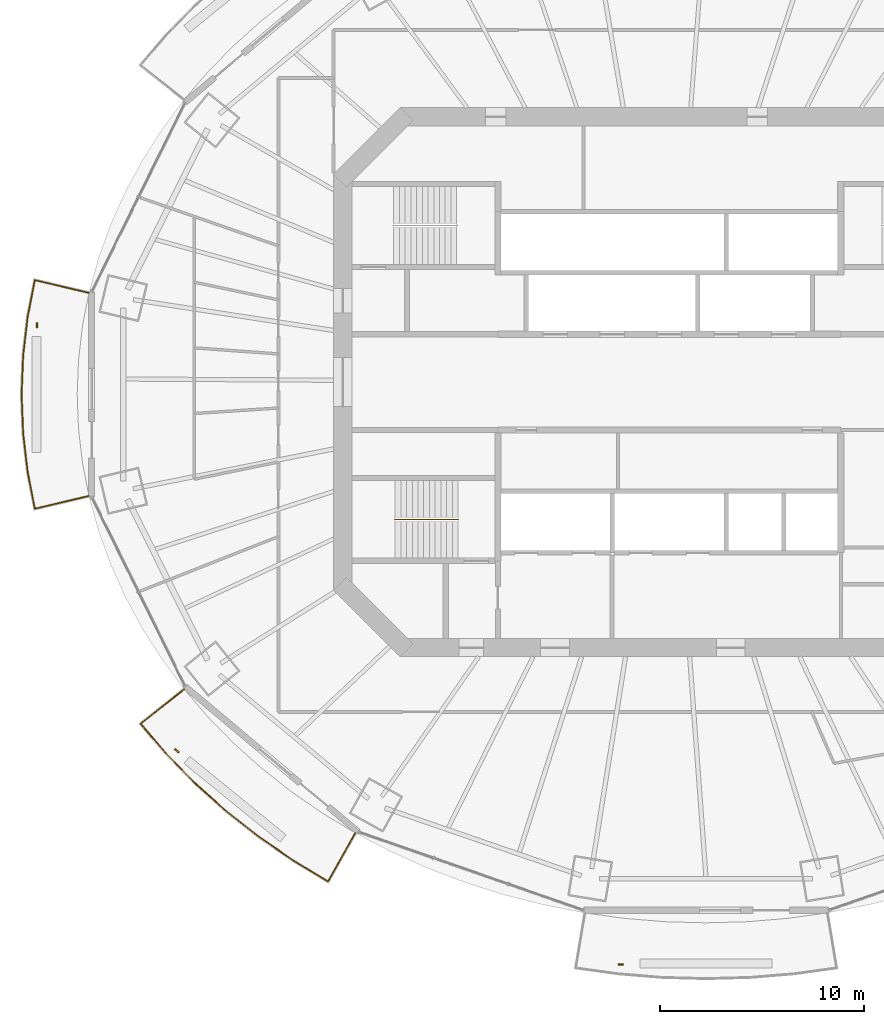
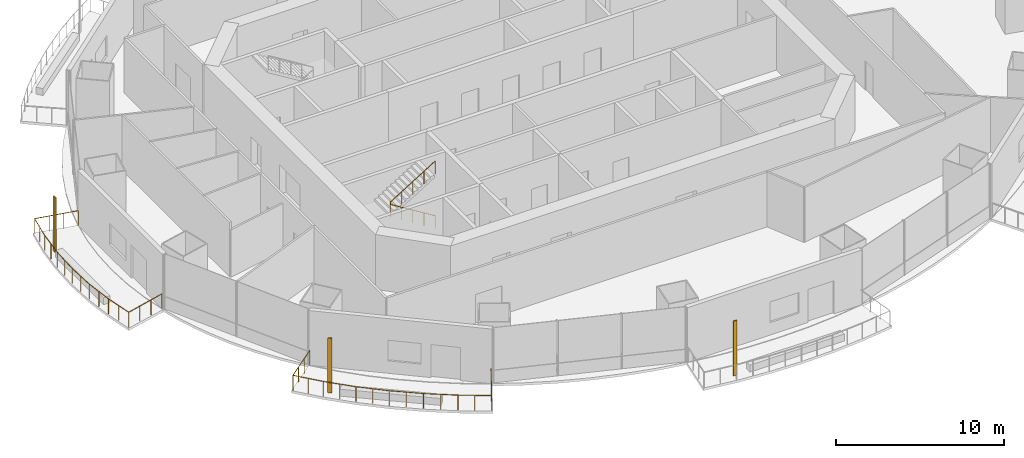
# One storey, part 14 of 19: 3 railings, 3 shading devices.
"""IFC4 building model written with IfcOpenShell, lengths in metres."""

import ifcopenshell
import ifcopenshell.guid

model = None  # the IFC model being written
_history = None  # IfcOwnerHistory: only IFC2X3 demands one
_inside = {}  # id of a spatial element -> (the spatial element, [elements in it])
_under = {}  # id of a project, library or spatial element -> (it, [spatial elements below it])
_declared = {}  # id of a project -> (the project, [libraries it declares])
_typed = {}  # id of a type object -> (the type object, [elements of that type])
_made_of = {}  # id of a material, layer set ... -> (it, [elements and type objects made of it])


def new_model(schema):
    """Start an empty IFC model of exactly this schema.

    Asked for "IFC4X3", IfcOpenShell would pick the latest addendum, in which some entities
    have other attributes; the version numbers below select the first issue.
    IFC2X3 requires an IfcOwnerHistory on every rooted entity: one is made here for all.
    """
    global model, _history
    if schema == "IFC4X3":
        model = ifcopenshell.file(schema_version=(4, 3, 0, 0))
    else:
        model = ifcopenshell.file(schema=schema)
    _inside.clear()
    _under.clear()
    _declared.clear()
    _typed.clear()
    _made_of.clear()
    _history = None
    if model.schema == "IFC2X3":
        org = make("IfcOrganization", Name="unknown")
        user = make(
            "IfcPersonAndOrganization",
            ThePerson=make("IfcPerson", FamilyName="unknown"),
            TheOrganization=org,
        )
        app = make(
            "IfcApplication",
            ApplicationDeveloper=org,
            Version="unknown",
            ApplicationFullName="unknown",
            ApplicationIdentifier="unknown",
        )
        _history = make(
            "IfcOwnerHistory",
            OwningUser=user,
            OwningApplication=app,
            ChangeAction="ADDED",
            CreationDate=0,
        )
    return model


def make(cls, **values):
    """One entity of the class cls with the attributes given. An attribute that is None is left unset."""
    return model.create_entity(
        cls, **{name: value for name, value in values.items() if value is not None}
    )


def rooted(cls, **values):
    """An entity with a GlobalId (a new one), such as an element, a storey or a relation."""
    return make(cls, GlobalId=ifcopenshell.guid.new(), OwnerHistory=_history, **values)


def si_unit(unit_type, name, prefix=None):
    """IfcSIUnit, for example si_unit("LENGTHUNIT", "METRE", prefix="MILLI")."""
    return make("IfcSIUnit", UnitType=unit_type, Prefix=prefix, Name=name)


def assignment(units):
    """IfcUnitAssignment: the units of a project."""
    return None if units is None else make("IfcUnitAssignment", Units=units)


def point(xyz):
    """IfcCartesianPoint."""
    return None if xyz is None else make("IfcCartesianPoint", Coordinates=xyz)


def direction(xyz):
    """IfcDirection."""
    return None if xyz is None else make("IfcDirection", DirectionRatios=xyz)


def frame(location, z_axis=None, x_axis=None):
    """IfcAxis2Placement3D, a coordinate frame: its origin and axes. An axis left out is left unset."""
    return make(
        "IfcAxis2Placement3D",
        Location=point(location),
        Axis=direction(z_axis),
        RefDirection=direction(x_axis),
    )


def frame_2d(location, x_axis=None):
    """IfcAxis2Placement2D, a coordinate frame in the plane: its origin and x axis."""
    return make(
        "IfcAxis2Placement2D", Location=point(location), RefDirection=direction(x_axis)
    )


def origin():
    """The frame at (0, 0, 0) with its axes left unset."""
    return frame((0.0, 0.0, 0.0))


def origin_2d():
    """The frame at (0, 0) in the plane with its x axis left unset."""
    return frame_2d((0.0, 0.0))


def place(relative_to, where):
    """IfcLocalPlacement: puts the frame where relative to a parent placement (None: the world)."""
    return make(
        "IfcLocalPlacement", PlacementRelTo=relative_to, RelativePlacement=where
    )


def context(
    kind, dimensions, precision=None, world=None, true_north=None, identifier=None
):
    """IfcGeometricRepresentationContext, for example the 3D "Model" context."""
    return make(
        "IfcGeometricRepresentationContext",
        ContextIdentifier=identifier,
        ContextType=kind,
        CoordinateSpaceDimension=dimensions,
        Precision=precision,
        WorldCoordinateSystem=world,
        TrueNorth=true_north,
    )


def subcontext(parent, identifier, kind, view, scale=None):
    """IfcGeometricRepresentationSubContext, for example "Body" below "Model"."""
    return make(
        "IfcGeometricRepresentationSubContext",
        ContextIdentifier=identifier,
        ContextType=kind,
        ParentContext=parent,
        TargetScale=scale,
        TargetView=view,
    )


def project(units=None, contexts=None):
    """IfcProject with its units and contexts."""
    return rooted(
        "IfcProject",
        Name="project",
        RepresentationContexts=contexts,
        UnitsInContext=assignment(units),
    )


def spatial(cls, under=None, at=None, **own):
    """A site, building, storey or space (cls), placed at a placement, below another one or the project."""
    s = rooted(cls, ObjectPlacement=at, **own)
    if under is not None:
        _under.setdefault(under.id(), (under, []))[1].append(s)
    return s


def profile(cls, at=None, kind="AREA", **sizes):
    """A parametric profile (cls). Its sizes go by their IFC names, for example OverallWidth=200.0."""
    return make(cls, ProfileType=kind, Position=at, **sizes)


def rectangle(**sizes):
    """IfcRectangleProfileDef."""
    return profile("IfcRectangleProfileDef", **sizes)


def circle(**sizes):
    """IfcCircleProfileDef."""
    return profile("IfcCircleProfileDef", **sizes)


def extrude(swept, where, along, depth):
    """IfcExtrudedAreaSolid: the profile swept, set in the frame where, extruded along a direction by depth."""
    return make(
        "IfcExtrudedAreaSolid",
        SweptArea=swept,
        Position=where,
        ExtrudedDirection=direction(along),
        Depth=depth,
    )


def shape(context_of_items, identifier, shape_type, items):
    """IfcShapeRepresentation: the items that make up one representation, for example the "Body"."""
    return make(
        "IfcShapeRepresentation",
        ContextOfItems=context_of_items,
        RepresentationIdentifier=identifier,
        RepresentationType=shape_type,
        Items=items,
    )


def material(Name=None, Category=None):
    """IfcMaterial."""
    return make("IfcMaterial", Name=Name, Category=Category)


def material_profile(
    of_material, cross_section, Name=None, Category=None, Priority=None
):
    """IfcMaterialProfile: a cross section and its material."""
    return make(
        "IfcMaterialProfile",
        Name=Name,
        Material=of_material,
        Profile=cross_section,
        Priority=Priority,
        Category=Category,
    )


def profile_set(profiles, Name=None, composite=None):
    """IfcMaterialProfileSet."""
    return make(
        "IfcMaterialProfileSet",
        Name=Name,
        MaterialProfiles=profiles,
        CompositeProfile=composite,
    )


def made_of(thing, what):
    """Note that an element or type object is made of a material, layer set ...; save() writes the relation."""
    if what is not None:
        _made_of.setdefault(what.id(), (what, []))[1].append(thing)
    return thing


def type_object(cls, material=None, **own):
    """A type object (cls), such as IfcWallType, which elements share."""
    return made_of(rooted(cls, **own), material)


def element(
    cls,
    number,
    at=None,
    inside=None,
    cuts=None,
    type_object=None,
    material=None,
    context=None,
    identifier="Body",
    shape_type=None,
    held_by="IfcProductDefinitionShape",
    body=None,
    shapes=None,
    **own,
):
    """One element of the class cls, such as IfcWall. Its Tag is "e" and its number.

    at: its placement. inside: the storey or other place that contains it. cuts: it is an
    opening in that element (IfcRelVoidsElement). A single representation is given by context,
    identifier, shape_type and body (its items); several are given by shapes. held_by: the class
    of the entity that holds the representations. save() writes the other relations.
    """
    e = rooted(cls, Tag="e%d" % number, ObjectPlacement=at, **own)
    if body is not None:
        shapes = [shape(context, identifier, shape_type, body)]
    if shapes is not None:
        e.Representation = make(held_by, Representations=shapes)
    if inside is not None:
        _inside.setdefault(inside.id(), (inside, []))[1].append(e)
    if cuts is not None:
        rooted(
            "IfcRelVoidsElement", RelatingBuildingElement=cuts, RelatedOpeningElement=e
        )
    if type_object is not None:
        _typed.setdefault(type_object.id(), (type_object, []))[1].append(e)
    return made_of(e, material)


def aggregate(whole, parts):
    """IfcRelAggregates: a whole, such as a stair, and the parts it consists of."""
    return rooted("IfcRelAggregates", RelatingObject=whole, RelatedObjects=parts)


def save(model, path):
    """Write the relations noted so far, then the file.

    IfcRelAggregates (storeys below a building ...), IfcRelContainedInSpatialStructure (elements
    in a storey), IfcRelDefinesByType, IfcRelAssociatesMaterial and IfcRelDeclares: one each for
    every whole, place, type object, material and project.
    """
    for whole, parts in _under.values():
        aggregate(whole, parts)
    for where, things in _inside.values():
        rooted(
            "IfcRelContainedInSpatialStructure",
            RelatedElements=things,
            RelatingStructure=where,
        )
    for kind, things in _typed.values():
        rooted("IfcRelDefinesByType", RelatedObjects=things, RelatingType=kind)
    for what, things in _made_of.values():
        rooted("IfcRelAssociatesMaterial", RelatedObjects=things, RelatingMaterial=what)
    for by, libraries in _declared.values():
        rooted("IfcRelDeclares", RelatingContext=by, RelatedDefinitions=libraries)
    model.write(path)


model = new_model("IFC4")

# Units and contexts
model_context = context("Model", 3, precision=1e-05, world=origin(), true_north=direction((0.0, 1.0)))
body_context = subcontext(model_context, "Body", "Model", "MODEL_VIEW")
ifc_project = project(units=[si_unit("LENGTHUNIT", "METRE"), si_unit("AREAUNIT", "SQUARE_METRE"), si_unit("VOLUMEUNIT", "CUBIC_METRE"), si_unit("PLANEANGLEUNIT", "RADIAN"), si_unit("MASSUNIT", "GRAM", prefix="KILO")], contexts=[model_context])

# Site, building, storey
site_placement = place(None, origin())
site = spatial("IfcSite", under=ifc_project, at=site_placement, CompositionType="ELEMENT")
building_placement = place(site_placement, origin())
building = spatial("IfcBuilding", under=site, at=building_placement, Name="Marenthal Gate Tower", CompositionType="ELEMENT")
storey_placement = place(building_placement, frame((0.0, 0.0, 223.300048828125)))
storey = spatial("IfcBuildingStorey", under=building, at=storey_placement, Name="L49", CompositionType="ELEMENT", Elevation=223.300048828125)

# Railings
ifc_material_1 = material(Name="Stainless steel", Category="steel")
railing_type_1 = type_object("IfcRailingType", Name="Balcony guard 1100", PredefinedType="GUARDRAIL", material=ifc_material_1)
railing_1_placement = place(storey_placement, frame((-28.434326171875, -5.572021484375, 0.0)))
element("IfcRailing", 1, at=railing_1_placement, inside=storey, type_object=railing_type_1, Name="Balcony guard L49 bay 8", PredefinedType="GUARDRAIL", context=body_context, shape_type="SweptSolid", body=[
    extrude(circle(Radius=0.02392578125, at=origin_2d()), frame((0.0, 0.0, 1.076171875), z_axis=(-0.973052153091, -0.230114897669, -0.014718737604), x_axis=(0.230139827907, -0.97315757183, 0.0)), (0.0, 0.0, 1.0), 2.72021484375),
    extrude(circle(Radius=0.02392578125, at=origin_2d()), frame((-2.64697265625, -0.6259765625, 1.0361328125), z_axis=(-0.191194170829, 0.981552234494, 0.0), x_axis=(-0.981552234494, -0.191194170829, 0.0)), (0.0, 0.0, 1.0), 1.832275390625),
    extrude(circle(Radius=0.02392578125, at=origin_2d()), frame((-2.997314453125, 1.172607421875, 1.0361328125), z_axis=(-0.116440337064, 0.99319768823, 0.0), x_axis=(-0.99319768823, -0.116440337064, 0.0)), (0.0, 0.0, 1.0), 1.907958984375),
    extrude(circle(Radius=0.02392578125, at=origin_2d()), frame((-3.219482421875, 3.067626953125, 1.0361328125), z_axis=(-0.038944791616, 0.999241363839, 0.0), x_axis=(-0.999241363839, -0.038944791616, 0.0)), (0.0, 0.0, 1.0), 1.90576171875),
    extrude(circle(Radius=0.02392578125, at=origin_2d()), frame((-3.293701171875, 4.971923828125, 1.0361328125), z_axis=(0.038939806905, 0.999241558102, 0.0), x_axis=(-0.999241558102, 0.038939806905, 0.0)), (0.0, 0.0, 1.0), 1.906005859375),
    extrude(circle(Radius=0.02392578125, at=origin_2d()), frame((-3.219482421875, 6.87646484375, 1.0361328125), z_axis=(0.116440337064, 0.99319768823, 0.0), x_axis=(-0.99319768823, 0.116440337064, 0.0)), (0.0, 0.0, 1.0), 1.907958984375),
    extrude(circle(Radius=0.02392578125, at=origin_2d()), frame((-2.997314453125, 8.771484375, 1.0361328125), z_axis=(0.191194170829, 0.981552234494, 0.0), x_axis=(-0.981552234494, 0.191194170829, 0.0)), (0.0, 0.0, 1.0), 1.832275390625),
    extrude(circle(Radius=0.02392578125, at=origin_2d()), frame((-2.64697265625, 10.570068359375, 1.0361328125), z_axis=(0.973052153091, -0.230114897669, 0.014718737604), x_axis=(0.230139827907, 0.97315757183, 0.0)), (0.0, 0.0, 1.0), 2.72021484375),
    extrude(circle(Radius=0.02099609375, at=origin_2d()), origin(), (0.0, 0.0, 1.0), 1.052001953125),
    extrude(circle(Radius=0.02099609375, at=origin_2d()), frame((-0.88232421875, -0.208740234375, -0.013427734375)), (0.0, 0.0, 1.0), 1.052001953125),
    extrude(circle(Radius=0.02099609375, at=origin_2d()), frame((-1.7646484375, -0.417236328125, -0.026611328125)), (0.0, 0.0, 1.0), 1.052001953125),
    extrude(circle(Radius=0.02099609375, at=origin_2d()), frame((-2.64697265625, -0.6259765625, -0.0400390625)), (0.0, 0.0, 1.0), 1.052001953125),
    extrude(circle(Radius=0.02099609375, at=origin_2d()), frame((-2.822265625, 0.2734375, -0.0400390625)), (0.0, 0.0, 1.0), 1.052001953125),
    extrude(circle(Radius=0.02099609375, at=origin_2d()), frame((-2.997314453125, 1.172607421875, -0.0400390625)), (0.0, 0.0, 1.0), 1.052001953125),
    extrude(circle(Radius=0.02099609375, at=origin_2d()), frame((-3.1083984375, 2.1201171875, -0.0400390625)), (0.0, 0.0, 1.0), 1.052001953125),
    extrude(circle(Radius=0.02099609375, at=origin_2d()), frame((-3.219482421875, 3.067626953125, -0.0400390625)), (0.0, 0.0, 1.0), 1.052001953125),
    extrude(circle(Radius=0.02099609375, at=origin_2d()), frame((-3.256591796875, 4.019775390625, -0.0400390625)), (0.0, 0.0, 1.0), 1.052001953125),
    extrude(circle(Radius=0.02099609375, at=origin_2d()), frame((-3.293701171875, 4.971923828125, -0.0400390625)), (0.0, 0.0, 1.0), 1.052001953125),
    extrude(circle(Radius=0.02099609375, at=origin_2d()), frame((-3.256591796875, 5.92431640625, -0.0400390625)), (0.0, 0.0, 1.0), 1.052001953125),
    extrude(circle(Radius=0.02099609375, at=origin_2d()), frame((-3.219482421875, 6.87646484375, -0.0400390625)), (0.0, 0.0, 1.0), 1.052001953125),
    extrude(circle(Radius=0.02099609375, at=origin_2d()), frame((-3.1083984375, 7.823974609375, -0.0400390625)), (0.0, 0.0, 1.0), 1.052001953125),
    extrude(circle(Radius=0.02099609375, at=origin_2d()), frame((-2.997314453125, 8.771484375, -0.0400390625)), (0.0, 0.0, 1.0), 1.052001953125),
    extrude(circle(Radius=0.02099609375, at=origin_2d()), frame((-2.822265625, 9.6708984375, -0.0400390625)), (0.0, 0.0, 1.0), 1.052001953125),
    extrude(circle(Radius=0.02099609375, at=origin_2d()), frame((-2.64697265625, 10.570068359375, -0.0400390625)), (0.0, 0.0, 1.0), 1.052001953125),
    extrude(circle(Radius=0.02099609375, at=origin_2d()), frame((-1.7646484375, 10.361328125, -0.026611328125)), (0.0, 0.0, 1.0), 1.052001953125),
    extrude(circle(Radius=0.02099609375, at=origin_2d()), frame((-0.88232421875, 10.15283203125, -0.013427734375)), (0.0, 0.0, 1.0), 1.052001953125),
    extrude(circle(Radius=0.02099609375, at=origin_2d()), frame((0.0, 9.944091796875, 0.0)), (0.0, 0.0, 1.0), 1.052001953125),
])
railing_2_placement = place(storey_placement, frame((-15.3857421875, -22.08349609375, 0.0)))
element("IfcRailing", 2, at=railing_2_placement, inside=storey, type_object=railing_type_1, Name="Balcony guard L49 bay 10", PredefinedType="GUARDRAIL", context=body_context, shape_type="SweptSolid", body=[
    extrude(circle(Radius=0.02392578125, at=origin_2d()), frame((0.0, 0.0, 1.076171875), z_axis=(-0.489828869087, -0.871694357905, -0.014718199804), x_axis=(0.871788788819, -0.489881932397, 0.0)), (0.0, 0.0, 1.0), 2.720458984375),
    extrude(circle(Radius=0.02392578125, at=origin_2d()), frame((-1.33251953125, -2.371337890625, 1.0361328125), z_axis=(-0.856002243452, 0.516972106796, 0.0), x_axis=(-0.516972106796, -0.856002243452, 0.0)), (0.0, 0.0, 1.0), 1.9990234375),
    extrude(circle(Radius=0.02392578125, at=origin_2d()), frame((-3.043701171875, -1.337890625, 1.0361328125), z_axis=(-0.823243306464, 0.567688698462, 0.0), x_axis=(-0.567688698462, -0.823243306464, 0.0)), (0.0, 0.0, 1.0), 2.0625),
    extrude(circle(Radius=0.02392578125, at=origin_2d()), frame((-4.74169921875, -0.1669921875, 1.0361328125), z_axis=(-0.785792171054, 0.618490633648, 0.0), x_axis=(-0.618490633648, -0.785792171054, 0.0)), (0.0, 0.0, 1.0), 2.0458984375),
    extrude(circle(Radius=0.02392578125, at=origin_2d()), frame((-6.349365234375, 1.098388671875, 1.0361328125), z_axis=(-0.744394107791, 0.667740527665, 0.0), x_axis=(-0.667740527665, -0.744394107791, 0.0)), (0.0, 0.0, 1.0), 2.02880859375),
    extrude(circle(Radius=0.02392578125, at=origin_2d()), frame((-7.859619140625, 2.453125, 1.0361328125), z_axis=(-0.698683190488, 0.71543119818, 0.0), x_axis=(-0.71543119818, -0.698683190488, 0.0)), (0.0, 0.0, 1.0), 2.01171875),
    extrude(circle(Radius=0.02392578125, at=origin_2d()), frame((-9.26513671875, 3.892333984375, 1.0361328125), z_axis=(-0.649961690438, 0.7599669736, 0.0), x_axis=(-0.7599669736, -0.649961690438, 0.0)), (0.0, 0.0, 1.0), 1.915283203125),
    extrude(circle(Radius=0.02392578125, at=origin_2d()), frame((-10.510009765625, 5.347900390625, 1.0361328125), z_axis=(0.782855020802, 0.62203005264, 0.014718356461), x_axis=(-0.622097438779, 0.78293982953, 0.0)), (0.0, 0.0, 1.0), 2.720458984375),
    extrude(circle(Radius=0.02099609375, at=origin_2d()), origin(), (0.0, 0.0, 1.0), 1.052001953125),
    extrude(circle(Radius=0.02099609375, at=origin_2d()), frame((-0.444091796875, -0.79052734375, -0.013427734375)), (0.0, 0.0, 1.0), 1.052001953125),
    extrude(circle(Radius=0.02099609375, at=origin_2d()), frame((-0.888427734375, -1.580810546875, -0.026611328125)), (0.0, 0.0, 1.0), 1.052001953125),
    extrude(circle(Radius=0.02099609375, at=origin_2d()), frame((-1.33251953125, -2.371337890625, -0.0400390625)), (0.0, 0.0, 1.0), 1.052001953125),
    extrude(circle(Radius=0.02099609375, at=origin_2d()), frame((-2.18798828125, -1.8544921875, -0.0400390625)), (0.0, 0.0, 1.0), 1.052001953125),
    extrude(circle(Radius=0.02099609375, at=origin_2d()), frame((-3.043701171875, -1.337890625, -0.0400390625)), (0.0, 0.0, 1.0), 1.052001953125),
    extrude(circle(Radius=0.02099609375, at=origin_2d()), frame((-3.892578125, -0.75244140625, -0.0400390625)), (0.0, 0.0, 1.0), 1.052001953125),
    extrude(circle(Radius=0.02099609375, at=origin_2d()), frame((-4.74169921875, -0.1669921875, -0.0400390625)), (0.0, 0.0, 1.0), 1.052001953125),
    extrude(circle(Radius=0.02099609375, at=origin_2d()), frame((-5.54541015625, 0.4658203125, -0.0400390625)), (0.0, 0.0, 1.0), 1.052001953125),
    extrude(circle(Radius=0.02099609375, at=origin_2d()), frame((-6.349365234375, 1.098388671875, -0.0400390625)), (0.0, 0.0, 1.0), 1.052001953125),
    extrude(circle(Radius=0.02099609375, at=origin_2d()), frame((-7.1044921875, 1.77587890625, -0.0400390625)), (0.0, 0.0, 1.0), 1.052001953125),
    extrude(circle(Radius=0.02099609375, at=origin_2d()), frame((-7.859619140625, 2.453125, -0.0400390625)), (0.0, 0.0, 1.0), 1.052001953125),
    extrude(circle(Radius=0.02099609375, at=origin_2d()), frame((-8.5625, 3.1728515625, -0.0400390625)), (0.0, 0.0, 1.0), 1.052001953125),
    extrude(circle(Radius=0.02099609375, at=origin_2d()), frame((-9.26513671875, 3.892333984375, -0.0400390625)), (0.0, 0.0, 1.0), 1.052001953125),
    extrude(circle(Radius=0.02099609375, at=origin_2d()), frame((-9.8876953125, 4.6201171875, -0.0400390625)), (0.0, 0.0, 1.0), 1.052001953125),
    extrude(circle(Radius=0.02099609375, at=origin_2d()), frame((-10.510009765625, 5.347900390625, -0.0400390625)), (0.0, 0.0, 1.0), 1.052001953125),
    extrude(circle(Radius=0.02099609375, at=origin_2d()), frame((-9.800048828125, 5.911865234375, -0.026611328125)), (0.0, 0.0, 1.0), 1.052001953125),
    extrude(circle(Radius=0.02099609375, at=origin_2d()), frame((-9.09033203125, 6.47607421875, -0.013427734375)), (0.0, 0.0, 1.0), 1.052001953125),
    extrude(circle(Radius=0.02099609375, at=origin_2d()), frame((-8.38037109375, 7.0400390625, 0.0)), (0.0, 0.0, 1.0), 1.052001953125),
])
ifc_material_2 = material(Name="Stainless steel", Category="steel")
railing_type_2 = type_object("IfcRailingType", Name="Stair handrail", PredefinedType="HANDRAIL", material=ifc_material_2)
railing_3_placement = place(storey_placement, frame((-10.35009765625, -6.72509765625, 0.1728515625)))
element("IfcRailing", 3, at=railing_3_placement, inside=storey, type_object=railing_type_2, Name="Handrail ST2", PredefinedType="HANDRAIL", context=body_context, shape_type="SweptSolid", body=[
    extrude(circle(Radius=0.0224609375, at=origin_2d()), frame((0.0, 0.0, 0.927490234375), z_axis=(-0.850816621229, 0.0, 0.525462726595), x_axis=(0.0, -1.0, 0.0)), (0.0, 0.0, 1.0), 3.619873046875),
    extrude(circle(Radius=0.0224609375, at=origin_2d()), frame((-3.079833984375, 0.0, 2.82958984375), z_axis=(0.0, 0.0, 1.0), x_axis=(1.0, 0.0, 0.0)), (0.0, 0.0, 1.0), 0.1728515625),
    extrude(circle(Radius=0.0224609375, at=origin_2d()), frame((-3.079833984375, 0.0, 3.00244140625), z_axis=(0.850816621229, 0.0, 0.525462726595), x_axis=(0.0, 1.0, 0.0)), (0.0, 0.0, 1.0), 3.619873046875),
    extrude(circle(Radius=0.02001953125, at=origin_2d()), origin(), (0.0, 0.0, 1.0), 0.905029296875),
    extrude(circle(Radius=0.02001953125, at=origin_2d()), frame((-0.77001953125, 0.0, 0.4755859375)), (0.0, 0.0, 1.0), 0.905029296875),
    extrude(circle(Radius=0.02001953125, at=origin_2d()), frame((-1.5400390625, 0.0, 0.951171875)), (0.0, 0.0, 1.0), 0.905029296875),
    extrude(circle(Radius=0.02001953125, at=origin_2d()), frame((-2.309814453125, 0.0, 1.426513671875)), (0.0, 0.0, 1.0), 0.905029296875),
    extrude(circle(Radius=0.02001953125, at=origin_2d()), frame((-3.079833984375, 0.0, 1.902099609375)), (0.0, 0.0, 1.0), 0.905029296875),
    extrude(circle(Radius=0.02001953125, at=origin_2d()), frame((-3.079833984375, 0.0, 2.074951171875)), (0.0, 0.0, 1.0), 0.905029296875),
    extrude(circle(Radius=0.02001953125, at=origin_2d()), frame((-2.309814453125, 0.0, 2.550537109375)), (0.0, 0.0, 1.0), 0.905029296875),
    extrude(circle(Radius=0.02001953125, at=origin_2d()), frame((-1.5400390625, 0.0, 3.02587890625)), (0.0, 0.0, 1.0), 0.905029296875),
    extrude(circle(Radius=0.02001953125, at=origin_2d()), frame((-0.77001953125, 0.0, 3.50146484375)), (0.0, 0.0, 1.0), 0.905029296875),
    extrude(circle(Radius=0.02001953125, at=origin_2d()), frame((0.0, 0.0, 3.97705078125)), (0.0, 0.0, 1.0), 0.905029296875),
])

# Shading devices
ifc_material_3 = material(Name="Terracotta", Category="masonry")
ifc_material_profile = material_profile(ifc_material_3, rectangle(XDim=0.25, YDim=0.080078125, at=origin_2d()), Name="Terracotta baguette 250x80")
ifc_profile_set = profile_set([ifc_material_profile], Name="Terracotta")
shading_device_type = type_object("IfcShadingDeviceType", Name="Terracotta BAGUETTE SCREEN 250x80", PredefinedType="USERDEFINED", material=ifc_profile_set)
for number, where, z_axis, x_axis, name in (
    (4, (-30.97509765625, 2.794921875, -0.0400390625), (0.0, 0.0, 1.0), (0.0, -1.0, 0.0), "Terracotta BAGUETTE L49 bay 8L"),
    (5, (-24.123291015625, -18.05126953125, -0.0400390625), (0.0, 0.0, 1.0), (0.765550876952, -0.643375360732, 0.0), "Terracotta BAGUETTE L49 bay 10L"),
    (6, (-2.371826171875, -28.529052734375, -0.0400390625), (0.0, 0.0, 1.0), (1.0, 0.0, 0.0), "Terracotta BAGUETTE L49 bay 12L"),
):
    element("IfcShadingDevice", number, at=place(storey_placement, frame(where, z_axis=z_axis, x_axis=x_axis)), inside=storey, type_object=shading_device_type, Name=name, ObjectType="BAGUETTE SCREEN", PredefinedType="USERDEFINED", context=body_context, shape_type="SweptSolid", body=[
        extrude(rectangle(XDim=0.25, YDim=0.080078125, at=origin_2d()), origin(), (0.0, 0.0, 1.0), 3.969970703125),
    ])

save(model, "model.ifc")
